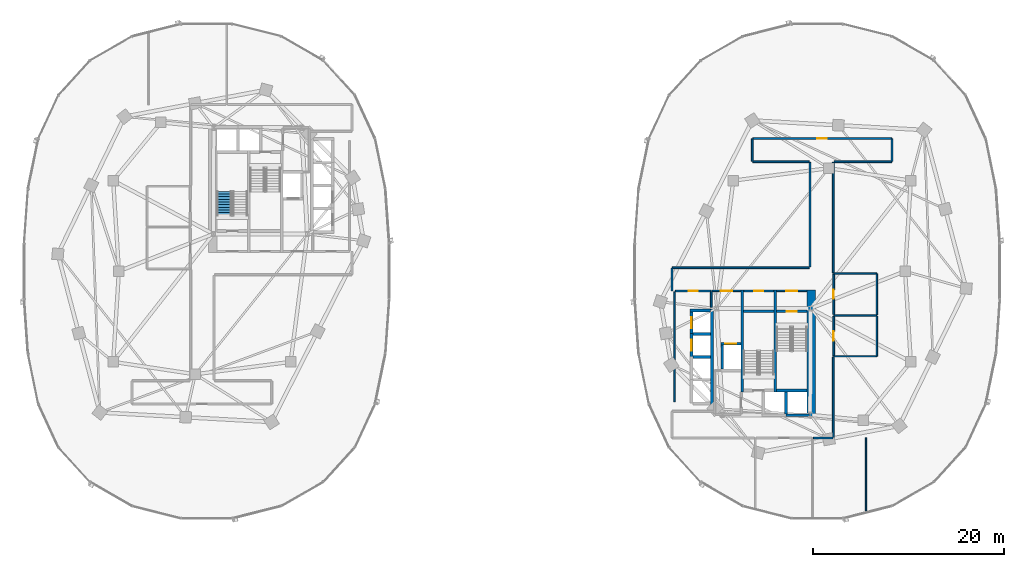
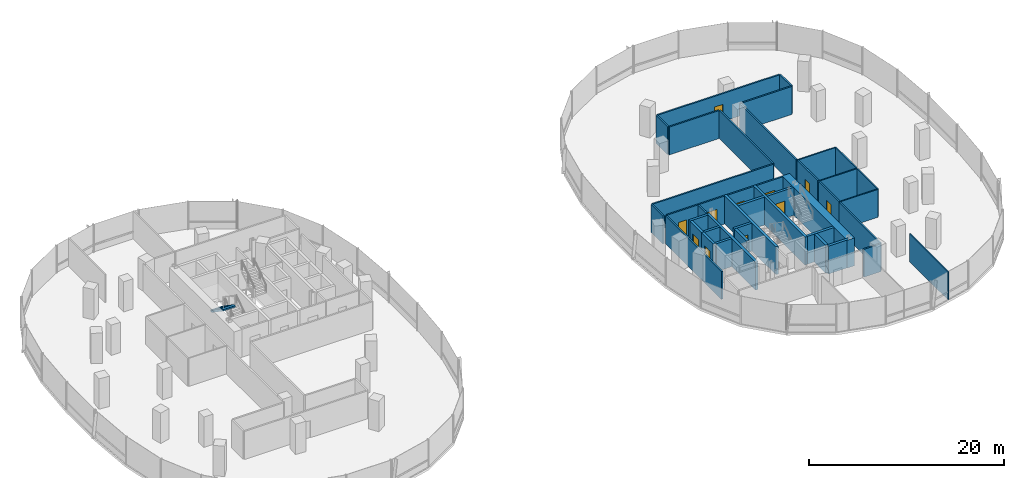
# One storey, part 13 of 21: 41 walls, 11 doors, 1 stair flight, 11 openings, 1 element without a shape of its own.
"""IFC4 building model written with IfcOpenShell, lengths in metres."""

import ifcopenshell
import ifcopenshell.guid

model = None  # the IFC model being written
_history = None  # IfcOwnerHistory: only IFC2X3 demands one
_inside = {}  # id of a spatial element -> (the spatial element, [elements in it])
_under = {}  # id of a project, library or spatial element -> (it, [spatial elements below it])
_declared = {}  # id of a project -> (the project, [libraries it declares])
_typed = {}  # id of a type object -> (the type object, [elements of that type])
_made_of = {}  # id of a material, layer set ... -> (it, [elements and type objects made of it])


def new_model(schema):
    """Start an empty IFC model of exactly this schema.

    Asked for "IFC4X3", IfcOpenShell would pick the latest addendum, in which some entities
    have other attributes; the version numbers below select the first issue.
    IFC2X3 requires an IfcOwnerHistory on every rooted entity: one is made here for all.
    """
    global model, _history
    if schema == "IFC4X3":
        model = ifcopenshell.file(schema_version=(4, 3, 0, 0))
    else:
        model = ifcopenshell.file(schema=schema)
    _inside.clear()
    _under.clear()
    _declared.clear()
    _typed.clear()
    _made_of.clear()
    _history = None
    if model.schema == "IFC2X3":
        org = make("IfcOrganization", Name="unknown")
        user = make(
            "IfcPersonAndOrganization",
            ThePerson=make("IfcPerson", FamilyName="unknown"),
            TheOrganization=org,
        )
        app = make(
            "IfcApplication",
            ApplicationDeveloper=org,
            Version="unknown",
            ApplicationFullName="unknown",
            ApplicationIdentifier="unknown",
        )
        _history = make(
            "IfcOwnerHistory",
            OwningUser=user,
            OwningApplication=app,
            ChangeAction="ADDED",
            CreationDate=0,
        )
    return model


def make(cls, **values):
    """One entity of the class cls with the attributes given. An attribute that is None is left unset."""
    return model.create_entity(
        cls, **{name: value for name, value in values.items() if value is not None}
    )


def rooted(cls, **values):
    """An entity with a GlobalId (a new one), such as an element, a storey or a relation."""
    return make(cls, GlobalId=ifcopenshell.guid.new(), OwnerHistory=_history, **values)


def si_unit(unit_type, name, prefix=None):
    """IfcSIUnit, for example si_unit("LENGTHUNIT", "METRE", prefix="MILLI")."""
    return make("IfcSIUnit", UnitType=unit_type, Prefix=prefix, Name=name)


def assignment(units):
    """IfcUnitAssignment: the units of a project."""
    return None if units is None else make("IfcUnitAssignment", Units=units)


def point(xyz):
    """IfcCartesianPoint."""
    return None if xyz is None else make("IfcCartesianPoint", Coordinates=xyz)


def direction(xyz):
    """IfcDirection."""
    return None if xyz is None else make("IfcDirection", DirectionRatios=xyz)


def frame(location, z_axis=None, x_axis=None):
    """IfcAxis2Placement3D, a coordinate frame: its origin and axes. An axis left out is left unset."""
    return make(
        "IfcAxis2Placement3D",
        Location=point(location),
        Axis=direction(z_axis),
        RefDirection=direction(x_axis),
    )


def frame_2d(location, x_axis=None):
    """IfcAxis2Placement2D, a coordinate frame in the plane: its origin and x axis."""
    return make(
        "IfcAxis2Placement2D", Location=point(location), RefDirection=direction(x_axis)
    )


def origin():
    """The frame at (0, 0, 0) with its axes left unset."""
    return frame((0.0, 0.0, 0.0))


def place(relative_to, where):
    """IfcLocalPlacement: puts the frame where relative to a parent placement (None: the world)."""
    return make(
        "IfcLocalPlacement", PlacementRelTo=relative_to, RelativePlacement=where
    )


def context(
    kind, dimensions, precision=None, world=None, true_north=None, identifier=None
):
    """IfcGeometricRepresentationContext, for example the 3D "Model" context."""
    return make(
        "IfcGeometricRepresentationContext",
        ContextIdentifier=identifier,
        ContextType=kind,
        CoordinateSpaceDimension=dimensions,
        Precision=precision,
        WorldCoordinateSystem=world,
        TrueNorth=true_north,
    )


def subcontext(parent, identifier, kind, view, scale=None):
    """IfcGeometricRepresentationSubContext, for example "Body" below "Model"."""
    return make(
        "IfcGeometricRepresentationSubContext",
        ContextIdentifier=identifier,
        ContextType=kind,
        ParentContext=parent,
        TargetScale=scale,
        TargetView=view,
    )


def project(units=None, contexts=None):
    """IfcProject with its units and contexts."""
    return rooted(
        "IfcProject",
        Name="project",
        RepresentationContexts=contexts,
        UnitsInContext=assignment(units),
    )


def spatial(cls, under=None, at=None, **own):
    """A site, building, storey or space (cls), placed at a placement, below another one or the project."""
    s = rooted(cls, ObjectPlacement=at, **own)
    if under is not None:
        _under.setdefault(under.id(), (under, []))[1].append(s)
    return s


def polyline(points):
    """IfcPolyline through the points."""
    return make("IfcPolyline", Points=[point(p) for p in points])


def profile(cls, at=None, kind="AREA", **sizes):
    """A parametric profile (cls). Its sizes go by their IFC names, for example OverallWidth=200.0."""
    return make(cls, ProfileType=kind, Position=at, **sizes)


def rectangle(**sizes):
    """IfcRectangleProfileDef."""
    return profile("IfcRectangleProfileDef", **sizes)


def outline(outer, holes=None, kind="AREA"):
    """IfcArbitraryClosedProfileDef: a profile drawn as a closed curve; with holes, ...WithVoids."""
    if holes is None:
        return make("IfcArbitraryClosedProfileDef", ProfileType=kind, OuterCurve=outer)
    return make(
        "IfcArbitraryProfileDefWithVoids",
        ProfileType=kind,
        OuterCurve=outer,
        InnerCurves=holes,
    )


def extrude(swept, where, along, depth):
    """IfcExtrudedAreaSolid: the profile swept, set in the frame where, extruded along a direction by depth."""
    return make(
        "IfcExtrudedAreaSolid",
        SweptArea=swept,
        Position=where,
        ExtrudedDirection=direction(along),
        Depth=depth,
    )


def shape(context_of_items, identifier, shape_type, items):
    """IfcShapeRepresentation: the items that make up one representation, for example the "Body"."""
    return make(
        "IfcShapeRepresentation",
        ContextOfItems=context_of_items,
        RepresentationIdentifier=identifier,
        RepresentationType=shape_type,
        Items=items,
    )


def material(Name=None, Category=None):
    """IfcMaterial."""
    return make("IfcMaterial", Name=Name, Category=Category)


def layer(
    of_material, thickness, ventilated=None, Name=None, Category=None, Priority=None
):
    """IfcMaterialLayer: one layer of a wall or slab, of a material (None: an air gap)."""
    return make(
        "IfcMaterialLayer",
        Material=of_material,
        LayerThickness=thickness,
        IsVentilated=ventilated,
        Name=Name,
        Category=Category,
        Priority=Priority,
    )


def layer_set(layers, Name=None):
    """IfcMaterialLayerSet."""
    return make("IfcMaterialLayerSet", MaterialLayers=layers, LayerSetName=Name)


def made_of(thing, what):
    """Note that an element or type object is made of a material, layer set ...; save() writes the relation."""
    if what is not None:
        _made_of.setdefault(what.id(), (what, []))[1].append(thing)
    return thing


def type_object(cls, material=None, **own):
    """A type object (cls), such as IfcWallType, which elements share."""
    return made_of(rooted(cls, **own), material)


def element(
    cls,
    number,
    at=None,
    inside=None,
    cuts=None,
    type_object=None,
    material=None,
    context=None,
    identifier="Body",
    shape_type=None,
    held_by="IfcProductDefinitionShape",
    body=None,
    shapes=None,
    **own,
):
    """One element of the class cls, such as IfcWall. Its Tag is "e" and its number.

    at: its placement. inside: the storey or other place that contains it. cuts: it is an
    opening in that element (IfcRelVoidsElement). A single representation is given by context,
    identifier, shape_type and body (its items); several are given by shapes. held_by: the class
    of the entity that holds the representations. save() writes the other relations.
    """
    e = rooted(cls, Tag="e%d" % number, ObjectPlacement=at, **own)
    if body is not None:
        shapes = [shape(context, identifier, shape_type, body)]
    if shapes is not None:
        e.Representation = make(held_by, Representations=shapes)
    if inside is not None:
        _inside.setdefault(inside.id(), (inside, []))[1].append(e)
    if cuts is not None:
        rooted(
            "IfcRelVoidsElement", RelatingBuildingElement=cuts, RelatedOpeningElement=e
        )
    if type_object is not None:
        _typed.setdefault(type_object.id(), (type_object, []))[1].append(e)
    return made_of(e, material)


def fill(opening, filler):
    """IfcRelFillsElement: the door or window that sits in an opening."""
    return rooted(
        "IfcRelFillsElement",
        RelatingOpeningElement=opening,
        RelatedBuildingElement=filler,
    )


def aggregate(whole, parts):
    """IfcRelAggregates: a whole, such as a stair, and the parts it consists of."""
    return rooted("IfcRelAggregates", RelatingObject=whole, RelatedObjects=parts)


def save(model, path):
    """Write the relations noted so far, then the file.

    IfcRelAggregates (storeys below a building ...), IfcRelContainedInSpatialStructure (elements
    in a storey), IfcRelDefinesByType, IfcRelAssociatesMaterial and IfcRelDeclares: one each for
    every whole, place, type object, material and project.
    """
    for whole, parts in _under.values():
        aggregate(whole, parts)
    for where, things in _inside.values():
        rooted(
            "IfcRelContainedInSpatialStructure",
            RelatedElements=things,
            RelatingStructure=where,
        )
    for kind, things in _typed.values():
        rooted("IfcRelDefinesByType", RelatedObjects=things, RelatingType=kind)
    for what, things in _made_of.values():
        rooted("IfcRelAssociatesMaterial", RelatedObjects=things, RelatingMaterial=what)
    for by, libraries in _declared.values():
        rooted("IfcRelDeclares", RelatingContext=by, RelatedDefinitions=libraries)
    model.write(path)


model = new_model("IFC4")

# Units and contexts
model_context = context("Model", 3, precision=1e-05, world=origin(), true_north=direction((0.0, 1.0)))
body_context = subcontext(model_context, "Body", "Model", "MODEL_VIEW")
ifc_project = project(units=[si_unit("LENGTHUNIT", "METRE"), si_unit("AREAUNIT", "SQUARE_METRE"), si_unit("VOLUMEUNIT", "CUBIC_METRE"), si_unit("PLANEANGLEUNIT", "RADIAN"), si_unit("MASSUNIT", "GRAM", prefix="KILO"), si_unit("THERMODYNAMICTEMPERATUREUNIT", "KELVIN"), si_unit("POWERUNIT", "WATT")], contexts=[model_context])

# Site, building, storey
site_placement = place(None, origin())
site = spatial("IfcSite", under=ifc_project, at=site_placement, CompositionType="ELEMENT")
building_placement = place(site_placement, origin())
building = spatial("IfcBuilding", under=site, at=building_placement, Name="Cundina Bronze Exchange", CompositionType="ELEMENT")
storey_placement = place(building_placement, frame((0.0, 0.0, 69.60009765625)))
storey = spatial("IfcBuildingStorey", under=building, at=storey_placement, Name="L17", CompositionType="ELEMENT", Elevation=69.60009765625)

# Wall
ifc_material_1 = material(Name="Gypsum Fireboard Partition EI120")
ifc_layer_1 = layer(ifc_material_1, 0.179931640625, Name="Gypsum Fireboard Partition EI120")
ifc_layer_set_1 = layer_set([ifc_layer_1], Name="Gypsum Fireboard Partition EI120")
wall_type_1 = type_object("IfcWallType", Name="WL-COR-180", PredefinedType="PARTITIONING", material=ifc_layer_set_1)
wall_1_placement = place(storey_placement, frame((20.889892578125, -3.800048828125, 0.0), z_axis=(0.0, 0.0, 1.0), x_axis=(0.0, 1.0, 0.0)))
element("IfcWall", 1, at=wall_1_placement, inside=storey, type_object=wall_type_1, Name="L17 E Firefighting Lobby Side Wall", PredefinedType="PARTITIONING", context=body_context, shape_type="SweptSolid", body=[
    extrude(rectangle(XDim=1.650146484375, YDim=0.179931640625, at=frame_2d((0.8251953125, 0.0))), origin(), (0.0, 0.0, 1.0), 3.5),
])

# Wall, opening, door
wall_2_placement = place(storey_placement, frame((20.97998046875, -2.06005859375, 0.0), z_axis=(0.0, 0.0, 1.0), x_axis=(1.0, 0.0, 0.0)))
wall_2 = element("IfcWall", 2, at=wall_2_placement, inside=storey, type_object=wall_type_1, Name="L17 E Firefighting Lobby Exit Wall", PredefinedType="PARTITIONING", context=body_context, shape_type="SweptSolid", body=[
    extrude(rectangle(XDim=3.0, YDim=0.179931640625, at=frame_2d((1.5, 0.0))), origin(), (0.0, 0.0, 1.0), 3.5),
])
opening_1_placement = place(wall_2_placement, frame((0.89990234375, 0.0, 0.0)))
opening_1 = element("IfcOpeningElement", 3, at=opening_1_placement, cuts=wall_2, Name="Opening DF-01", PredefinedType="OPENING", context=body_context, shape_type="SweptSolid", body=[
    extrude(rectangle(XDim=1.199951171875, YDim=2.14990234375, at=frame_2d((0.60009765625, 1.074951171875))), frame((0.0, 0.099853515625, 0.0), z_axis=(0.0, -1.0, 0.0), x_axis=(1.0, 0.0, 0.0)), (0.0, 0.0, 1.0), 0.199951171875),
])
ifc_material_2 = material(Name="Steel ASTM A36 Painted", Category="steel")
door_type_1 = type_object("IfcDoorType", Name="DR-FFL-1200", OperationType="NOTDEFINED", PredefinedType="DOOR", material=ifc_material_2)
door_1_placement = place(opening_1_placement, origin())
door_1 = element("IfcDoor", 4, at=door_1_placement, inside=storey, type_object=door_type_1, Name="L17 E Firefighting Lobby Door", OperationType="SINGLE_SWING_LEFT", OverallHeight=2.14990234375, OverallWidth=1.199951171875, PredefinedType="DOOR", context=body_context, shape_type="SweptSolid", body=[
    extrude(rectangle(XDim=1.199951171875, YDim=2.14990234375, at=frame_2d((0.60009765625, 1.074951171875))), frame((0.0, 0.02490234375, 0.0), z_axis=(0.0, -1.0, 0.0), x_axis=(1.0, 0.0, 0.0)), (0.0, 0.0, 1.0), 0.050048828125),
])
fill(opening_1, door_1)

wall_3_placement = place(storey_placement, frame((27.739990234375, -2.06005859375, 0.0), z_axis=(0.0, 0.0, 1.0), x_axis=(1.0, 0.0, 0.0)))
wall_3 = element("IfcWall", 5, at=wall_3_placement, inside=storey, type_object=wall_type_1, Name="L17 E Stair Vestibule Exit Wall", PredefinedType="PARTITIONING", context=body_context, shape_type="SweptSolid", body=[
    extrude(rectangle(XDim=3.159912109375, YDim=0.179931640625, at=frame_2d((1.580078125, 0.0))), origin(), (0.0, 0.0, 1.0), 3.5),
])
opening_2_placement = place(wall_3_placement, frame((0.97998046875, 0.0, 0.0)))
opening_2 = element("IfcOpeningElement", 6, at=opening_2_placement, cuts=wall_3, Name="Opening DF-01", PredefinedType="OPENING", context=body_context, shape_type="SweptSolid", body=[
    extrude(rectangle(XDim=1.199951171875, YDim=2.14990234375, at=frame_2d((0.60009765625, 1.074951171875))), frame((0.0, 0.099853515625, 0.0), z_axis=(0.0, -1.0, 0.0), x_axis=(1.0, 0.0, 0.0)), (0.0, 0.0, 1.0), 0.199951171875),
])
door_2_placement = place(opening_2_placement, origin())
door_2 = element("IfcDoor", 7, at=door_2_placement, inside=storey, type_object=door_type_1, Name="L17 E Stair Vestibule Door", OperationType="SINGLE_SWING_RIGHT", OverallHeight=2.14990234375, OverallWidth=1.199951171875, PredefinedType="DOOR", context=body_context, shape_type="SweptSolid", body=[
    extrude(rectangle(XDim=1.199951171875, YDim=2.14990234375, at=frame_2d((0.60009765625, 1.074951171875))), frame((0.0, 0.02490234375, 0.0), z_axis=(0.0, -1.0, 0.0), x_axis=(1.0, 0.0, 0.0)), (0.0, 0.0, 1.0), 0.050048828125),
])
fill(opening_2, door_2)

# Wall
wall_4_placement = place(storey_placement, frame((17.02001953125, -13.679931640625, 0.0), z_axis=(0.0, 0.0, 1.0), x_axis=(0.0, 1.0, 0.0)))
element("IfcWall", 8, at=wall_4_placement, inside=storey, type_object=wall_type_1, Name="L17 Interior Partition 031", PredefinedType="PARTITIONING", context=body_context, shape_type="SweptSolid", body=[
    extrude(rectangle(XDim=11.510009765625, YDim=0.179931640625, at=frame_2d((5.7548828125, 0.0))), origin(), (0.0, 0.0, 1.0), 3.5),
])

# Wall, opening, door
wall_5_placement = place(storey_placement, frame((17.1201171875, -2.070068359375, 0.0), z_axis=(0.0, 0.0, 1.0), x_axis=(1.0, 0.0, 0.0)))
wall_5 = element("IfcWall", 9, at=wall_5_placement, inside=storey, type_object=wall_type_1, Name="L17 Interior Partition 032", PredefinedType="PARTITIONING", context=body_context, shape_type="SweptSolid", body=[
    extrude(rectangle(XDim=3.75, YDim=0.179931640625, at=frame_2d((1.875, 0.0))), origin(), (0.0, 0.0, 1.0), 3.5),
])
opening_3_placement = place(wall_5_placement, frame((1.39990234375, 0.0, 0.0)))
opening_3 = element("IfcOpeningElement", 10, at=opening_3_placement, cuts=wall_5, Name="Opening DW-01", PredefinedType="OPENING", context=body_context, shape_type="SweptSolid", body=[
    extrude(rectangle(XDim=0.949951171875, YDim=2.10009765625, at=frame_2d((0.47509765625, 1.050048828125))), frame((0.0, 0.099853515625, 0.0), z_axis=(0.0, -1.0, 0.0), x_axis=(1.0, 0.0, 0.0)), (0.0, 0.0, 1.0), 0.199951171875),
])
ifc_material_3 = material(Name="Solid Andean Oak Timber Grade A", Category="wood")
door_type_2 = type_object("IfcDoorType", Name="DR-WC-950", OperationType="NOTDEFINED", PredefinedType="DOOR", material=ifc_material_3)
door_3_placement = place(opening_3_placement, origin())
door_3 = element("IfcDoor", 11, at=door_3_placement, inside=storey, type_object=door_type_2, Name="L17 Interior Door 032", OperationType="SINGLE_SWING_LEFT", OverallHeight=2.10009765625, OverallWidth=0.949951171875, PredefinedType="DOOR", context=body_context, shape_type="SweptSolid", body=[
    extrude(rectangle(XDim=0.949951171875, YDim=2.10009765625, at=frame_2d((0.47509765625, 1.050048828125))), frame((0.0, 0.02490234375, 0.0), z_axis=(0.0, -1.0, 0.0), x_axis=(1.0, 0.0, 0.0)), (0.0, 0.0, 1.0), 0.050048828125),
])
fill(opening_3, door_3)

wall_6_placement = place(storey_placement, frame((24.300048828125, -2.070068359375, 0.0), z_axis=(0.0, 0.0, 1.0), x_axis=(1.0, 0.0, 0.0)))
wall_6 = element("IfcWall", 12, at=wall_6_placement, inside=storey, type_object=wall_type_1, Name="L17 Interior Partition 036", PredefinedType="PARTITIONING", context=body_context, shape_type="SweptSolid", body=[
    extrude(rectangle(XDim=3.119873046875, YDim=0.179931640625, at=frame_2d((1.56005859375, 0.0))), origin(), (0.0, 0.0, 1.0), 3.5),
])
opening_4_placement = place(wall_6_placement, frame((1.0849609375, 0.0, 0.0)))
opening_4 = element("IfcOpeningElement", 13, at=opening_4_placement, cuts=wall_6, Name="Opening DW-01", PredefinedType="OPENING", context=body_context, shape_type="SweptSolid", body=[
    extrude(rectangle(XDim=0.949951171875, YDim=2.10009765625, at=frame_2d((0.47509765625, 1.050048828125))), frame((0.0, 0.099853515625, 0.0), z_axis=(0.0, -1.0, 0.0), x_axis=(1.0, 0.0, 0.0)), (0.0, 0.0, 1.0), 0.199951171875),
])
door_4_placement = place(opening_4_placement, origin())
door_4 = element("IfcDoor", 14, at=door_4_placement, inside=storey, type_object=door_type_2, Name="L17 Interior Door 036", OperationType="SINGLE_SWING_LEFT", OverallHeight=2.10009765625, OverallWidth=0.949951171875, PredefinedType="DOOR", context=body_context, shape_type="SweptSolid", body=[
    extrude(rectangle(XDim=0.949951171875, YDim=2.10009765625, at=frame_2d((0.47509765625, 1.050048828125))), frame((0.0, 0.02490234375, 0.0), z_axis=(0.0, -1.0, 0.0), x_axis=(1.0, 0.0, 0.0)), (0.0, 0.0, 1.0), 0.050048828125),
])
fill(opening_4, door_4)

wall_7_placement = place(storey_placement, frame((33.719970703125, -4.530029296875, 0.0), z_axis=(0.0, 0.0, 1.0), x_axis=(0.0, 1.0, 0.0)))
wall_7 = element("IfcWall", 15, at=wall_7_placement, inside=storey, type_object=wall_type_1, Name="L17 Interior Partition 043", PredefinedType="PARTITIONING", context=body_context, shape_type="SweptSolid", body=[
    extrude(rectangle(XDim=4.260009765625, YDim=0.179931640625, at=frame_2d((2.1298828125, 0.0))), origin(), (0.0, 0.0, 1.0), 3.5),
])
opening_5_placement = place(wall_7_placement, frame((1.655029296875, 0.0, 0.0)))
opening_5 = element("IfcOpeningElement", 16, at=opening_5_placement, cuts=wall_7, Name="Opening DW-01", PredefinedType="OPENING", context=body_context, shape_type="SweptSolid", body=[
    extrude(rectangle(XDim=0.949951171875, YDim=2.10009765625, at=frame_2d((0.47509765625, 1.050048828125))), frame((0.0, 0.099853515625, 0.0), z_axis=(0.0, -1.0, 0.0), x_axis=(1.0, 0.0, 0.0)), (0.0, 0.0, 1.0), 0.199951171875),
])
door_5_placement = place(opening_5_placement, origin())
door_5 = element("IfcDoor", 17, at=door_5_placement, inside=storey, type_object=door_type_2, Name="L17 Interior Door 043", OperationType="SINGLE_SWING_LEFT", OverallHeight=2.10009765625, OverallWidth=0.949951171875, PredefinedType="DOOR", context=body_context, shape_type="SweptSolid", body=[
    extrude(rectangle(XDim=0.949951171875, YDim=2.10009765625, at=frame_2d((0.47509765625, 1.050048828125))), frame((0.0, 0.02490234375, 0.0), z_axis=(0.0, -1.0, 0.0), x_axis=(1.0, 0.0, 0.0)), (0.0, 0.0, 1.0), 0.050048828125),
])
fill(opening_5, door_5)

wall_8_placement = place(storey_placement, frame((33.719970703125, -8.889892578125, 0.0), z_axis=(0.0, 0.0, 1.0), x_axis=(0.0, 1.0, 0.0)))
wall_8 = element("IfcWall", 18, at=wall_8_placement, inside=storey, type_object=wall_type_1, Name="L17 Interior Partition 044", PredefinedType="PARTITIONING", context=body_context, shape_type="SweptSolid", body=[
    extrude(rectangle(XDim=4.159912109375, YDim=0.179931640625, at=frame_2d((2.080078125, 0.0))), origin(), (0.0, 0.0, 1.0), 3.5),
])
opening_6_placement = place(wall_8_placement, frame((1.580078125, 0.0, 0.0)))
opening_6 = element("IfcOpeningElement", 19, at=opening_6_placement, cuts=wall_8, Name="Opening DO-01", PredefinedType="OPENING", context=body_context, shape_type="SweptSolid", body=[
    extrude(rectangle(XDim=1.0, YDim=2.14990234375, at=frame_2d((0.5, 1.074951171875))), frame((0.0, 0.099853515625, 0.0), z_axis=(0.0, -1.0, 0.0), x_axis=(1.0, 0.0, 0.0)), (0.0, 0.0, 1.0), 0.199951171875),
])
door_type_3 = type_object("IfcDoorType", Name="DR-OFF-1000", OperationType="NOTDEFINED", PredefinedType="DOOR", material=ifc_material_3)
door_6_placement = place(opening_6_placement, origin())
door_6 = element("IfcDoor", 20, at=door_6_placement, inside=storey, type_object=door_type_3, Name="L17 Interior Door 044", OperationType="SINGLE_SWING_LEFT", OverallHeight=2.14990234375, OverallWidth=1.0, PredefinedType="DOOR", context=body_context, shape_type="SweptSolid", body=[
    extrude(rectangle(XDim=1.0, YDim=2.14990234375, at=frame_2d((0.5, 1.074951171875))), frame((0.0, 0.02490234375, 0.0), z_axis=(0.0, -1.0, 0.0), x_axis=(1.0, 0.0, 0.0)), (0.0, 0.0, 1.0), 0.050048828125),
])
fill(opening_6, door_6)

wall_9_placement = place(storey_placement, frame((39.778564453125, 13.919921875, 0.0), z_axis=(0.0, 0.0, 1.0), x_axis=(-1.0, 0.0, 0.0)))
wall_9 = element("IfcWall", 21, at=wall_9_placement, inside=storey, type_object=wall_type_1, Name="L17 Interior Partition 049", PredefinedType="PARTITIONING", context=body_context, shape_type="SweptSolid", body=[
    extrude(rectangle(XDim=14.55712890625, YDim=0.179931640625, at=frame_2d((7.278564453125, 0.0))), origin(), (0.0, 0.0, 1.0), 3.5),
])
opening_7_placement = place(wall_9_placement, frame((6.778564453125, 0.0, 0.0)))
opening_7 = element("IfcOpeningElement", 22, at=opening_7_placement, cuts=wall_9, Name="Opening DO-01", PredefinedType="OPENING", context=body_context, shape_type="SweptSolid", body=[
    extrude(rectangle(XDim=1.0, YDim=2.14990234375, at=frame_2d((0.5, 1.074951171875))), frame((0.0, 0.099853515625, 0.0), z_axis=(0.0, -1.0, 0.0), x_axis=(1.0, 0.0, 0.0)), (0.0, 0.0, 1.0), 0.199951171875),
])
door_7_placement = place(opening_7_placement, origin())
door_7 = element("IfcDoor", 23, at=door_7_placement, inside=storey, type_object=door_type_3, Name="L17 Interior Door 049", OperationType="SINGLE_SWING_RIGHT", OverallHeight=2.14990234375, OverallWidth=1.0, PredefinedType="DOOR", context=body_context, shape_type="SweptSolid", body=[
    extrude(rectangle(XDim=1.0, YDim=2.14990234375, at=frame_2d((0.5, 1.074951171875))), frame((0.0, 0.02490234375, 0.0), z_axis=(0.0, -1.0, 0.0), x_axis=(1.0, 0.0, 0.0)), (0.0, 0.0, 1.0), 0.050048828125),
])
fill(opening_7, door_7)

# Walls
wall_10_placement = place(storey_placement, frame((31.14990234375, 0.3701171875, 0.0), z_axis=(0.0, 0.0, 1.0), x_axis=(-1.0, 0.0, 0.0)))
element("IfcWall", 24, at=wall_10_placement, inside=storey, type_object=wall_type_1, Name="L17 Interior Partition 050", PredefinedType="PARTITIONING", context=body_context, shape_type="SweptSolid", body=[
    extrude(rectangle(XDim=14.328369140625, YDim=0.179931640625, at=frame_2d((7.1640625, 0.0))), origin(), (0.0, 0.0, 1.0), 3.5),
])
wall_11_placement = place(storey_placement, frame((33.669921875, -0.15869140625, 0.0), z_axis=(0.0, 0.0, 1.0), x_axis=(0.0, 1.0, 0.0)))
element("IfcWall", 25, at=wall_11_placement, inside=storey, type_object=wall_type_1, Name="L17 Interior Partition 051", PredefinedType="PARTITIONING", context=body_context, shape_type="SweptSolid", body=[
    extrude(rectangle(XDim=11.55859375, YDim=0.179931640625, at=frame_2d((5.779296875, 0.0))), origin(), (0.0, 0.0, 1.0), 3.5),
])
wall_12_placement = place(storey_placement, frame((31.22998046875, 11.39990234375, 0.0), z_axis=(0.0, 0.0, 1.0), x_axis=(0.0, -1.0, 0.0)))
element("IfcWall", 26, at=wall_12_placement, inside=storey, type_object=wall_type_1, Name="L17 Interior Partition 052", PredefinedType="PARTITIONING", context=body_context, shape_type="SweptSolid", body=[
    extrude(rectangle(XDim=10.949951171875, YDim=0.179931640625, at=frame_2d((5.47509765625, 0.0))), origin(), (0.0, 0.0, 1.0), 3.5),
])
wall_13_placement = place(storey_placement, frame((33.669921875, -17.428466796875, 0.0), z_axis=(0.0, 0.0, 1.0), x_axis=(0.0, 1.0, 0.0)))
element("IfcWall", 27, at=wall_13_placement, inside=storey, type_object=wall_type_1, Name="L17 Interior Partition 054", PredefinedType="PARTITIONING", context=body_context, shape_type="SweptSolid", body=[
    extrude(rectangle(XDim=8.427001953125, YDim=0.179931640625, at=frame_2d((4.21337890625, 0.0))), origin(), (0.0, 0.0, 1.0), 3.5),
])
wall_14_placement = place(storey_placement, frame((33.75, 11.47998046875, 0.0), z_axis=(0.0, 0.0, 1.0), x_axis=(1.0, 0.0, 0.0)))
element("IfcWall", 28, at=wall_14_placement, inside=storey, type_object=wall_type_1, Name="L17 Interior Partition 055", PredefinedType="PARTITIONING", context=body_context, shape_type="SweptSolid", body=[
    extrude(rectangle(XDim=6.028564453125, YDim=0.179931640625, at=frame_2d((3.01416015625, 0.0))), origin(), (0.0, 0.0, 1.0), 3.5),
])
wall_15_placement = place(storey_placement, frame((25.221435546875, 11.47998046875, 0.0), z_axis=(0.0, 0.0, 1.0), x_axis=(1.0, 0.0, 0.0)))
element("IfcWall", 29, at=wall_15_placement, inside=storey, type_object=wall_type_1, Name="L17 Interior Partition 056", PredefinedType="PARTITIONING", context=body_context, shape_type="SweptSolid", body=[
    extrude(rectangle(XDim=5.928466796875, YDim=0.179931640625, at=frame_2d((2.96435546875, 0.0))), origin(), (0.0, 0.0, 1.0), 3.5),
])
wall_16_placement = place(storey_placement, frame((16.780029296875, 0.32861328125, 0.0), z_axis=(0.0, 0.0, 1.0), x_axis=(0.0, -1.0, 0.0)))
element("IfcWall", 30, at=wall_16_placement, inside=storey, type_object=wall_type_1, Name="L17 Interior Partition 059", PredefinedType="PARTITIONING", context=body_context, shape_type="SweptSolid", body=[
    extrude(rectangle(XDim=2.38720703125, YDim=0.179931640625, at=frame_2d((1.193603515625, 0.0))), origin(), (0.0, 0.0, 1.0), 3.5),
])
for number, where, z_axis, x_axis, name in (
    (31, (39.820068359375, 11.521484375, 0.0), (0.0, 0.0, 1.0), (0.0, 1.0, 0.0), "L17 Interior Partition 060"),
    (32, (25.179931640625, 13.87841796875, 0.0), (0.0, 0.0, 1.0), (0.0, -1.0, 0.0), "L17 Interior Partition 061"),
):
    element("IfcWall", number, at=place(storey_placement, frame(where, z_axis=z_axis, x_axis=x_axis)), inside=storey, type_object=wall_type_1, Name=name, PredefinedType="PARTITIONING", context=body_context, shape_type="SweptSolid", body=[
        extrude(rectangle(XDim=2.35693359375, YDim=0.179931640625, at=frame_2d((1.178466796875, 0.0))), origin(), (0.0, 0.0, 1.0), 3.5),
    ])
wall_17_placement = place(storey_placement, frame((31.590087890625, -17.469970703125, 0.0), z_axis=(0.0, 0.0, 1.0), x_axis=(1.0, 0.0, 0.0)))
element("IfcWall", 33, at=wall_17_placement, inside=storey, type_object=wall_type_1, Name="L17 Interior Partition 062", PredefinedType="PARTITIONING", context=body_context, shape_type="SweptSolid", body=[
    extrude(rectangle(XDim=2.038330078125, YDim=0.179931640625, at=frame_2d((1.01904296875, 0.0))), origin(), (0.0, 0.0, 1.0), 3.5),
])
ifc_material_4 = material(Name="Concrete C60/75", Category="concrete")
ifc_layer_2 = layer(ifc_material_4, 0.89990234375, Name="Concrete C60/75", Category="concrete")
ifc_layer_set_2 = layer_set([ifc_layer_2], Name="Concrete C60/75")
wall_type_2 = type_object("IfcWallType", Name="WL-CORE-900", PredefinedType="SHEAR", material=ifc_layer_set_2)
wall_18_placement = place(storey_placement, frame((31.35009765625, -15.300048828125, 0.0), z_axis=(0.0, 0.0, 1.0), x_axis=(0.0, 1.0, 0.0)))
element("IfcWall", 34, at=wall_18_placement, inside=storey, type_object=wall_type_2, Name="L17 E Primary Core Shear Spine Wall", PredefinedType="SHEAR", context=body_context, shape_type="SweptSolid", body=[
    extrude(rectangle(XDim=13.330078125, YDim=0.89990234375, at=frame_2d((6.6650390625, 0.0))), origin(), (0.0, 0.0, 1.0), 3.5),
])
ifc_material_5 = material(Name="Gypsum Acoustic Partition EI60")
ifc_layer_3 = layer(ifc_material_5, 0.125, Name="Gypsum Acoustic Partition EI60")
ifc_layer_set_3 = layer_set([ifc_layer_3], Name="Gypsum Acoustic Partition EI60")
wall_type_3 = type_object("IfcWallType", Name="WL-OFF-125", PredefinedType="PARTITIONING", material=ifc_layer_set_3)
wall_19_placement = place(storey_placement, frame((37.10009765625, -25.37890625, 0.0), z_axis=(0.0, 0.0, 1.0), x_axis=(0.0, 1.0, 0.0)))
element("IfcWall", 35, at=wall_19_placement, inside=storey, type_object=wall_type_3, Name="L17 Interior Partition 047", PredefinedType="PARTITIONING", context=body_context, shape_type="SweptSolid", body=[
    extrude(rectangle(XDim=7.908935546875, YDim=0.125, at=frame_2d((3.95458984375, 0.0))), origin(), (0.0, 0.0, 1.0), 3.5),
])
ifc_material_6 = material(Name="Concrete C50/60", Category="concrete")
ifc_layer_4 = layer(ifc_material_6, 0.300048828125, Name="Concrete C50/60", Category="concrete")
ifc_layer_set_4 = layer_set([ifc_layer_4], Name="Concrete C50/60")
wall_type_4 = type_object("IfcWallType", Name="WL-SHFT-300", PredefinedType="SHEAR", material=ifc_layer_set_4)
for number, where, z_axis, x_axis, name in (
    (36, (27.590087890625, -12.64990234375, 0.0), (0.0, 0.0, 1.0), (0.0, 1.0, 0.0), "L17 E Stair Shaft Dividing Shear Wall"),
    (37, (24.1298828125, -12.64990234375, 0.0), (0.0, 0.0, 1.0), (0.0, 1.0, 0.0), "L17 E Stair 2 East Shear Wall"),
):
    element("IfcWall", number, at=place(storey_placement, frame(where, z_axis=z_axis, x_axis=x_axis)), inside=storey, type_object=wall_type_4, Name=name, PredefinedType="SHEAR", context=body_context, shape_type="SweptSolid", body=[
        extrude(rectangle(XDim=10.679931640625, YDim=0.300048828125, at=frame_2d((5.33984375, 0.0))), origin(), (0.0, 0.0, 1.0), 3.5),
    ])

# Wall, opening, door
wall_20_placement = place(storey_placement, frame((27.739990234375, -4.199951171875, 0.0), z_axis=(0.0, 0.0, 1.0), x_axis=(1.0, 0.0, 0.0)))
wall_20 = element("IfcWall", 38, at=wall_20_placement, inside=storey, type_object=wall_type_4, Name="L17 Stair E1 Landing Wall", PredefinedType="SHEAR", context=body_context, shape_type="SweptSolid", body=[
    extrude(rectangle(XDim=3.159912109375, YDim=0.300048828125, at=frame_2d((1.580078125, 0.0))), origin(), (0.0, 0.0, 1.0), 3.5),
])
opening_8_placement = place(wall_20_placement, frame((1.030029296875, 0.0, 0.0)))
opening_8 = element("IfcOpeningElement", 39, at=opening_8_placement, cuts=wall_20, Name="Opening DS-01", PredefinedType="OPENING", context=body_context, shape_type="SweptSolid", body=[
    extrude(rectangle(XDim=1.10009765625, YDim=2.14990234375, at=frame_2d((0.550048828125, 1.074951171875))), frame((0.0, 0.159912109375, 0.0), z_axis=(0.0, -1.0, 0.0), x_axis=(1.0, 0.0, 0.0)), (0.0, 0.0, 1.0), 0.320068359375),
])
door_type_4 = type_object("IfcDoorType", Name="DR-STR-1100", OperationType="NOTDEFINED", PredefinedType="DOOR", material=ifc_material_2)
door_8_placement = place(opening_8_placement, origin())
door_8 = element("IfcDoor", 40, at=door_8_placement, inside=storey, type_object=door_type_4, Name="L17 Smokeproof Stair E1 Door", OperationType="SINGLE_SWING_LEFT", OverallHeight=2.14990234375, OverallWidth=1.10009765625, PredefinedType="DOOR", context=body_context, shape_type="SweptSolid", body=[
    extrude(rectangle(XDim=1.10009765625, YDim=2.14990234375, at=frame_2d((0.550048828125, 1.074951171875))), frame((0.0, 0.02490234375, 0.0), z_axis=(0.0, -1.0, 0.0), x_axis=(1.0, 0.0, 0.0)), (0.0, 0.0, 1.0), 0.050048828125),
])
fill(opening_8, door_8)

# Walls
for number, where, z_axis, x_axis, name in (
    (41, (27.739990234375, -12.5, 0.0), (0.0, 0.0, 1.0), (1.0, 0.0, 0.0), "L17 Stair E1 Far Shaft Wall"),
    (42, (24.280029296875, -4.199951171875, 0.0), (0.0, 0.0, 1.0), (1.0, 0.0, 0.0), "L17 Stair E2 Far Shaft Wall"),
):
    element("IfcWall", number, at=place(storey_placement, frame(where, z_axis=z_axis, x_axis=x_axis)), inside=storey, type_object=wall_type_4, Name=name, PredefinedType="SHEAR", context=body_context, shape_type="SweptSolid", body=[
        extrude(rectangle(XDim=3.159912109375, YDim=0.300048828125, at=frame_2d((1.580078125, 0.0))), origin(), (0.0, 0.0, 1.0), 3.5),
    ])

# Wall, opening, door
wall_21_placement = place(storey_placement, frame((21.8798828125, -7.60009765625, 0.0), z_axis=(0.0, 0.0, 1.0), x_axis=(1.0, 0.0, 0.0)))
wall_21 = element("IfcWall", 43, at=wall_21_placement, inside=storey, type_object=wall_type_4, Name="L17 FFL-E Hoistway Front Wall", PredefinedType="SHEAR", context=body_context, shape_type="SweptSolid", body=[
    extrude(rectangle(XDim=2.10009765625, YDim=0.300048828125, at=frame_2d((1.050048828125, 0.0))), origin(), (0.0, 0.0, 1.0), 3.5),
])
opening_9_placement = place(wall_21_placement, frame((0.47509765625, 0.0, 0.0)))
opening_9 = element("IfcOpeningElement", 44, at=opening_9_placement, cuts=wall_21, Name="Opening LD-01", PredefinedType="OPENING", context=body_context, shape_type="SweptSolid", body=[
    extrude(rectangle(XDim=1.14990234375, YDim=2.199951171875, at=frame_2d((0.574951171875, 1.10009765625))), frame((0.0, 0.159912109375, 0.0), z_axis=(0.0, -1.0, 0.0), x_axis=(1.0, 0.0, 0.0)), (0.0, 0.0, 1.0), 0.320068359375),
])
door_type_5 = type_object("IfcDoorType", Name="DR-LND-1150", OperationType="NOTDEFINED", PredefinedType="TRAPDOOR", material=ifc_material_2)
door_9_placement = place(opening_9_placement, origin())
door_9 = element("IfcDoor", 45, at=door_9_placement, inside=storey, type_object=door_type_5, Name="L17 FFL-E Sliding Landing Door", OperationType="SLIDING_TO_LEFT", OverallHeight=2.199951171875, OverallWidth=1.14990234375, PredefinedType="TRAPDOOR", context=body_context, shape_type="SweptSolid", body=[
    extrude(rectangle(XDim=1.14990234375, YDim=2.199951171875, at=frame_2d((0.574951171875, 1.10009765625))), frame((0.0, 0.02490234375, 0.0), z_axis=(0.0, -1.0, 0.0), x_axis=(1.0, 0.0, 0.0)), (0.0, 0.0, 1.0), 0.050048828125),
])
fill(opening_9, door_9)

# Walls
for number, where, z_axis, x_axis, name in (
    (46, (22.030029296875, -10.25, 0.0), (0.0, 0.0, 1.0), (0.0, 1.0, 0.0), "L17 FFL-E Hoistway Side Wall"),
    (47, (28.699951171875, -15.10009765625, 0.0), (0.0, 0.0, 1.0), (1.0, 0.0, 0.0), "L17 PH-E1 Hoistway Front Wall"),
):
    element("IfcWall", number, at=place(storey_placement, frame(where, z_axis=z_axis, x_axis=x_axis)), inside=storey, type_object=wall_type_4, Name=name, PredefinedType="SHEAR", context=body_context, shape_type="SweptSolid", body=[
        extrude(rectangle(XDim=2.5, YDim=0.300048828125, at=frame_2d((1.25, 0.0))), origin(), (0.0, 0.0, 1.0), 3.5),
    ])
wall_22_placement = place(storey_placement, frame((28.699951171875, -14.949951171875, 0.0), z_axis=(0.0, 0.0, 1.0), x_axis=(0.0, 1.0, 0.0)))
element("IfcWall", 48, at=wall_22_placement, inside=storey, type_object=wall_type_4, Name="L17 PH-E1 Hoistway Divider Wall", PredefinedType="SHEAR", context=body_context, shape_type="SweptSolid", body=[
    extrude(rectangle(XDim=2.300048828125, YDim=0.300048828125, at=frame_2d((1.14990234375, 0.0))), origin(), (0.0, 0.0, 1.0), 3.5),
])
wall_23_placement = place(storey_placement, frame((20.949951171875, -14.0, 0.0), z_axis=(0.0, 0.0, 1.0), x_axis=(0.0, 1.0, 0.0)))
element("IfcWall", 49, at=wall_23_placement, inside=storey, type_object=wall_type_4, Name="L17 E Passenger Bank Hoistway Back Wall", PredefinedType="SHEAR", context=body_context, shape_type="SweptSolid", body=[
    extrude(rectangle(XDim=10.050048828125, YDim=0.300048828125, at=frame_2d((5.02490234375, 0.0))), origin(), (0.0, 0.0, 1.0), 3.5),
])
wall_24_placement = place(storey_placement, frame((18.64990234375, -4.10009765625, 0.0), z_axis=(0.0, 0.0, 1.0), x_axis=(1.0, 0.0, 0.0)))
element("IfcWall", 50, at=wall_24_placement, inside=storey, type_object=wall_type_4, Name="L17 E Passenger Bank North Cap Wall", PredefinedType="SHEAR", context=body_context, shape_type="SweptSolid", body=[
    extrude(rectangle(XDim=2.150146484375, YDim=0.300048828125, at=frame_2d((1.0751953125, 0.0))), origin(), (0.0, 0.0, 1.0), 3.5),
])
for number, where, z_axis, x_axis, name in (
    (51, (18.949951171875, -8.97509765625, 0.0), (0.0, 0.0, 1.0), (1.0, 0.0, 0.0), "L17 E Passenger Hoistway Divider 2"),
    (52, (18.949951171875, -6.574951171875, 0.0), (0.0, 0.0, 1.0), (1.0, 0.0, 0.0), "L17 E Passenger Hoistway Divider 3"),
):
    element("IfcWall", number, at=place(storey_placement, frame(where, z_axis=z_axis, x_axis=x_axis)), inside=storey, type_object=wall_type_4, Name=name, PredefinedType="SHEAR", context=body_context, shape_type="SweptSolid", body=[
        extrude(rectangle(XDim=1.85009765625, YDim=0.300048828125, at=frame_2d((0.925048828125, 0.0))), origin(), (0.0, 0.0, 1.0), 3.5),
    ])

# Wall, opening, door
wall_25_placement = place(storey_placement, frame((18.800048828125, -9.02001953125, 0.0), z_axis=(0.0, 0.0, 1.0), x_axis=(0.0, 1.0, 0.0)))
wall_25 = element("IfcWall", 53, at=wall_25_placement, inside=storey, type_object=wall_type_4, Name="L17 PL-E1 Hoistway Front Wall", PredefinedType="SHEAR", context=body_context, shape_type="SweptSolid", body=[
    extrude(rectangle(XDim=2.489990234375, YDim=0.300048828125, at=frame_2d((1.2451171875, 0.0))), origin(), (0.0, 0.0, 1.0), 3.5),
])
opening_10_placement = place(wall_25_placement, frame((0.669921875, 0.0, 0.0)))
opening_10 = element("IfcOpeningElement", 54, at=opening_10_placement, cuts=wall_25, Name="Opening LD-01", PredefinedType="OPENING", context=body_context, shape_type="SweptSolid", body=[
    extrude(rectangle(XDim=1.14990234375, YDim=2.199951171875, at=frame_2d((0.574951171875, 1.10009765625))), frame((0.0, 0.159912109375, 0.0), z_axis=(0.0, -1.0, 0.0), x_axis=(1.0, 0.0, 0.0)), (0.0, 0.0, 1.0), 0.320068359375),
])
door_10_placement = place(opening_10_placement, origin())
door_10 = element("IfcDoor", 55, at=door_10_placement, inside=storey, type_object=door_type_5, Name="L17 PL-E1 Sliding Landing Door", OperationType="SLIDING_TO_LEFT", OverallHeight=2.199951171875, OverallWidth=1.14990234375, PredefinedType="TRAPDOOR", context=body_context, shape_type="SweptSolid", body=[
    extrude(rectangle(XDim=1.14990234375, YDim=2.199951171875, at=frame_2d((0.574951171875, 1.10009765625))), frame((0.0, 0.02490234375, 0.0), z_axis=(0.0, -1.0, 0.0), x_axis=(1.0, 0.0, 0.0)), (0.0, 0.0, 1.0), 0.050048828125),
])
fill(opening_10, door_10)

wall_26_placement = place(storey_placement, frame((18.800048828125, -6.6201171875, 0.0), z_axis=(0.0, 0.0, 1.0), x_axis=(0.0, 1.0, 0.0)))
wall_26 = element("IfcWall", 56, at=wall_26_placement, inside=storey, type_object=wall_type_4, Name="L17 PL-E2 Hoistway Front Wall", PredefinedType="SHEAR", context=body_context, shape_type="SweptSolid", body=[
    extrude(rectangle(XDim=2.490234375, YDim=0.300048828125, at=frame_2d((1.2451171875, 0.0))), origin(), (0.0, 0.0, 1.0), 3.5),
])
opening_11_placement = place(wall_26_placement, frame((0.669921875, 0.0, 0.0)))
opening_11 = element("IfcOpeningElement", 57, at=opening_11_placement, cuts=wall_26, Name="Opening LD-01", PredefinedType="OPENING", context=body_context, shape_type="SweptSolid", body=[
    extrude(rectangle(XDim=1.14990234375, YDim=2.199951171875, at=frame_2d((0.574951171875, 1.10009765625))), frame((0.0, 0.159912109375, 0.0), z_axis=(0.0, -1.0, 0.0), x_axis=(1.0, 0.0, 0.0)), (0.0, 0.0, 1.0), 0.320068359375),
])
door_11_placement = place(opening_11_placement, origin())
door_11 = element("IfcDoor", 58, at=door_11_placement, inside=storey, type_object=door_type_5, Name="L17 PL-E2 Sliding Landing Door", OperationType="SLIDING_TO_LEFT", OverallHeight=2.199951171875, OverallWidth=1.14990234375, PredefinedType="TRAPDOOR", context=body_context, shape_type="SweptSolid", body=[
    extrude(rectangle(XDim=1.14990234375, YDim=2.199951171875, at=frame_2d((0.574951171875, 1.10009765625))), frame((0.0, 0.02490234375, 0.0), z_axis=(0.0, -1.0, 0.0), x_axis=(1.0, 0.0, 0.0)), (0.0, 0.0, 1.0), 0.050048828125),
])
fill(opening_11, door_11)

# Walls
ifc_material_7 = material(Name="Moisture-Resistant Masonry Block Grade M15", Category="masonry")
ifc_layer_5 = layer(ifc_material_7, 0.139892578125, Name="Moisture-Resistant Masonry Block Grade M15", Category="masonry")
ifc_layer_set_5 = layer_set([ifc_layer_5], Name="Moisture-Resistant Masonry Block Grade M15")
wall_type_5 = type_object("IfcWallType", Name="WL-WET-140", PredefinedType="PARTITIONING", material=ifc_layer_set_5)
wall_27_placement = place(storey_placement, frame((38.239990234375, -8.889892578125, 0.0), z_axis=(0.0, 0.0, 1.0), x_axis=(0.0, 1.0, 0.0)))
element("IfcWall", 59, at=wall_27_placement, inside=storey, type_object=wall_type_5, Name="L17 Interior Partition 038", PredefinedType="PARTITIONING", context=body_context, shape_type="SweptSolid", body=[
    extrude(rectangle(XDim=4.1748046875, YDim=0.139892578125, at=frame_2d((2.08740234375, 0.0))), origin(), (0.0, 0.0, 1.0), 3.5),
])
wall_28_placement = place(storey_placement, frame((38.239990234375, -4.544921875, 0.0), z_axis=(0.0, 0.0, 1.0), x_axis=(0.0, 1.0, 0.0)))
element("IfcWall", 60, at=wall_28_placement, inside=storey, type_object=wall_type_5, Name="L17 Interior Partition 039", PredefinedType="PARTITIONING", context=body_context, shape_type="SweptSolid", body=[
    extrude(rectangle(XDim=4.27490234375, YDim=0.139892578125, at=frame_2d((2.137451171875, 0.0))), origin(), (0.0, 0.0, 1.0), 3.5),
])
for number, where, z_axis, x_axis, name in (
    (61, (33.739990234375, -0.25, 0.0), (0.0, 0.0, 1.0), (1.0, 0.0, 0.0), "L17 Interior Partition 040"),
    (62, (33.739990234375, -4.6298828125, 0.0), (0.0, 0.0, 1.0), (1.0, 0.0, 0.0), "L17 Interior Partition 041"),
    (63, (33.739990234375, -8.909912109375, 0.0), (0.0, 0.0, 1.0), (1.0, 0.0, 0.0), "L17 Interior Partition 042"),
):
    element("IfcWall", number, at=place(storey_placement, frame(where, z_axis=z_axis, x_axis=x_axis)), inside=storey, type_object=wall_type_5, Name=name, PredefinedType="PARTITIONING", context=body_context, shape_type="SweptSolid", body=[
        extrude(rectangle(XDim=4.47998046875, YDim=0.139892578125, at=frame_2d((2.239990234375, 0.0))), origin(), (0.0, 0.0, 1.0), 3.5),
    ])

# Stair, stair flight
ifc_material_8 = material(Name="Concrete C40/50", Category="concrete")
stair_type = type_object("IfcStairType", Name="STR-TRD-380", PredefinedType="HALF_TURN_STAIR", material=ifc_material_8)
stair_placement = place(storey_placement, origin())
stair = element("IfcStair", 64, at=stair_placement, inside=storey, type_object=stair_type, Name="L17 Smokeproof Exit Stair W1", PredefinedType="HALF_TURN_STAIR")
stair_flight_type = type_object("IfcStairFlightType", Name="FLG-TRD-190", PredefinedType="STRAIGHT", material=ifc_material_8)
stair_flight_placement = place(storey_placement, frame((-30.14990234375, 8.3701171875, 1.89990234375), z_axis=(0.0, 0.0, 1.0), x_axis=(0.0, -1.0, 0.0)))
stair_flight = element("IfcStairFlight", 65, at=stair_flight_placement, type_object=stair_flight_type, Name="ST-W1 flight 2", NumberOfRisers=10, NumberOfTreads=9, PredefinedType="STRAIGHT", RiserHeight=0.19, TreadLength=0.28, context=body_context, shape_type="SweptSolid", body=[
    extrude(outline(polyline([(0.0, 0.0), (0.0, 0.18994140625), (0.280029296875, 0.18994140625), (0.280029296875, 0.3798828125), (0.56005859375, 0.3798828125), (0.56005859375, 0.570068359375), (0.840087890625, 0.570068359375), (0.840087890625, 0.760009765625), (1.1201171875, 0.760009765625), (1.1201171875, 0.949951171875), (1.39990234375, 0.949951171875), (1.39990234375, 1.139892578125), (1.679931640625, 1.139892578125), (1.679931640625, 1.330078125), (1.9599609375, 1.330078125), (1.9599609375, 1.52001953125), (2.239990234375, 1.52001953125), (2.239990234375, 1.7099609375), (2.52001953125, 1.7099609375), (2.52001953125, 1.89990234375), (2.52001953125, 1.52880859375), (0.266845703125, 0.0), (0.0, 0.0)])), frame((0.0, 0.75, 0.0), z_axis=(0.0, -1.0, 0.0), x_axis=(1.0, 0.0, 0.0)), (0.0, 0.0, 1.0), 1.5),
])
aggregate(stair, [stair_flight])

save(model, "model.ifc")
